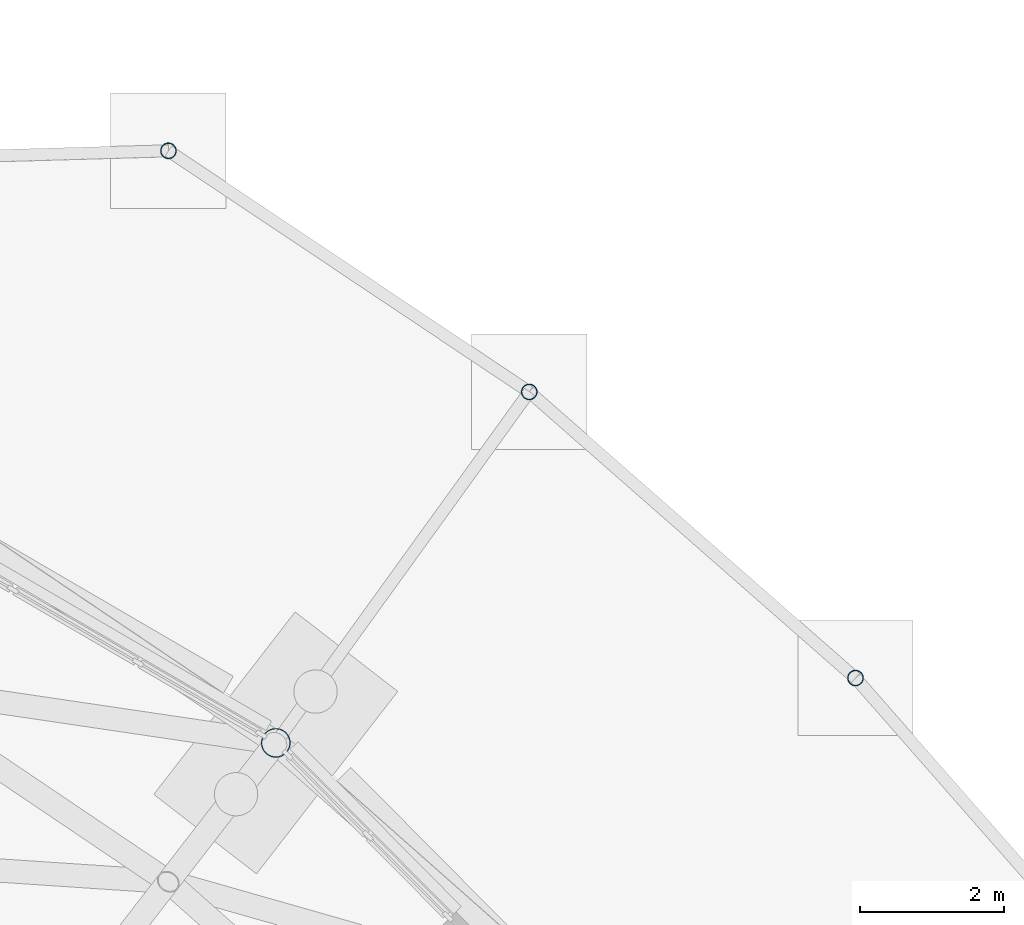
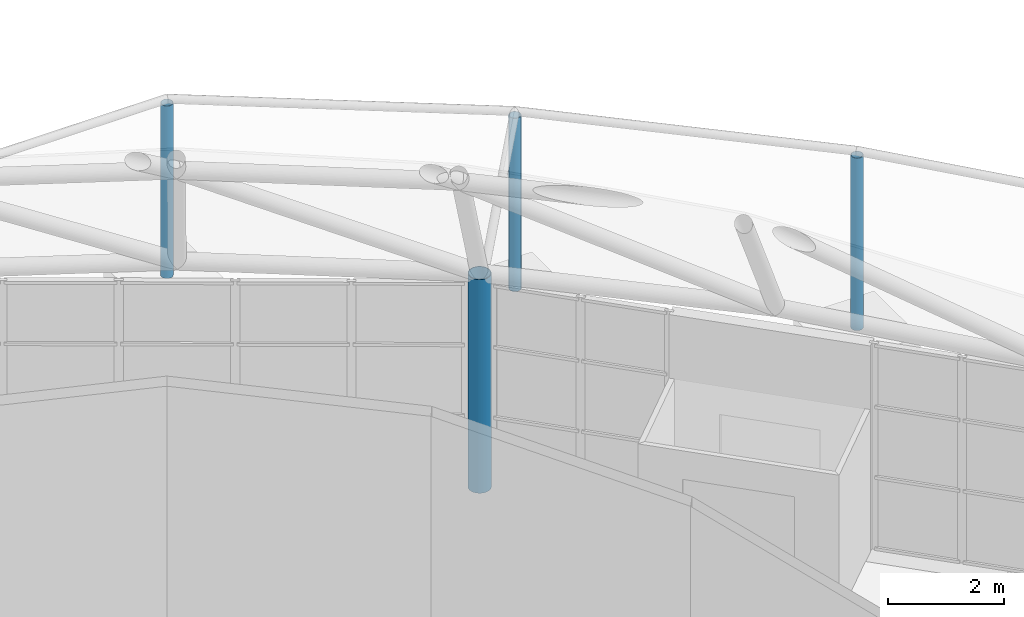
# One storey, part 44 of 226: 4 columns.
"""IFC4 building model written with IfcOpenShell, lengths in metres."""

from ifc_helpers import new_model, si_unit, direction, frame, origin, origin_2d, place, context, subcontext, project, spatial, hollow_circle, extrude, material, material_profile, profile_set, type_object, element, save


model = new_model("IFC4")

# Units and contexts
model_context = context("Model", 3, precision=1e-05, world=origin(), true_north=direction((0.0, 1.0)))
body_context = subcontext(model_context, "Body", "Model", "MODEL_VIEW")
ifc_project = project(units=[si_unit("LENGTHUNIT", "METRE"), si_unit("AREAUNIT", "SQUARE_METRE"), si_unit("VOLUMEUNIT", "CUBIC_METRE"), si_unit("PLANEANGLEUNIT", "RADIAN"), si_unit("MASSUNIT", "GRAM", prefix="KILO")], contexts=[model_context])

# Site, building, storey
site_placement = place(None, origin())
site = spatial("IfcSite", under=ifc_project, at=site_placement, CompositionType="ELEMENT")
building_placement = place(site_placement, origin())
building = spatial("IfcBuilding", under=site, at=building_placement, Name="Ceibo Conservatory and Research Tower", CompositionType="ELEMENT")
storey_placement = place(building_placement, origin())
storey = spatial("IfcBuildingStorey", under=building, at=storey_placement, Name="L00", CompositionType="ELEMENT", Elevation=0.0)

# Columns
ifc_material = material(Name="Steel ASTM A500 Gr C", Category="steel")
ifc_material_profile_1 = material_profile(ifc_material, hollow_circle(Radius=0.109619140625, WallThickness=0.00830078125, at=origin_2d()), Name="CHS column 219.1x8.18")
ifc_profile_set_1 = profile_set([ifc_material_profile_1], Name="Steel ASTM A500 Gr C")
column_type_1 = type_object("IfcColumnType", Name="CHS column 219.1x8.18", PredefinedType="COLUMN", material=ifc_profile_set_1)
column_1_placement = place(storey_placement, frame((188.52685546875, 140.52685546875, 0.0), z_axis=(0.0, 0.0, 1.0), x_axis=(1.0, 0.0, 0.0)))
element("IfcColumn", 1, at=column_1_placement, inside=storey, type_object=column_type_1, Name="Colonnade column A-CL15", PredefinedType="COLUMN", context=body_context, shape_type="SweptSolid", body=[
    extrude(hollow_circle(Radius=0.109619140625, WallThickness=0.00830078125, at=origin_2d()), origin(), (0.0, 0.0, 1.0), 3.631103515625),
])
column_2_placement = place(storey_placement, frame((184.0029296875, 144.494140625, 0.0), z_axis=(0.0, 0.0, 1.0), x_axis=(1.0, 0.0, 0.0)))
element("IfcColumn", 2, at=column_2_placement, inside=storey, type_object=column_type_1, Name="Colonnade column A-CL16", PredefinedType="COLUMN", context=body_context, shape_type="SweptSolid", body=[
    extrude(hollow_circle(Radius=0.109619140625, WallThickness=0.00830078125, at=origin_2d()), origin(), (0.0, 0.0, 1.0), 3.64794921875),
])
column_3_placement = place(storey_placement, frame((179.0, 147.837158203125, 0.0), z_axis=(0.0, 0.0, 1.0), x_axis=(1.0, 0.0, 0.0)))
element("IfcColumn", 3, at=column_3_placement, inside=storey, type_object=column_type_1, Name="Colonnade column A-CL17", PredefinedType="COLUMN", context=body_context, shape_type="SweptSolid", body=[
    extrude(hollow_circle(Radius=0.109619140625, WallThickness=0.00830078125, at=origin_2d()), origin(), (0.0, 0.0, 1.0), 3.631103515625),
])
ifc_material_profile_2 = material_profile(ifc_material, hollow_circle(Radius=0.203125, WallThickness=0.0126953125, at=origin_2d()), Name="CHS column 406.4x12.70")
ifc_profile_set_2 = profile_set([ifc_material_profile_2], Name="Steel ASTM A500 Gr C")
column_type_2 = type_object("IfcColumnType", Name="CHS column 406.4x12.70", PredefinedType="COLUMN", material=ifc_profile_set_2)
column_4_placement = place(storey_placement, frame((180.48876953125, 139.627685546875, 0.0), z_axis=(0.0, 0.0, 1.0), x_axis=(1.0, 0.0, 0.0)))
element("IfcColumn", 4, at=column_4_placement, inside=storey, type_object=column_type_2, Name="Drum column A-DC04", PredefinedType="COLUMN", context=body_context, shape_type="SweptSolid", body=[
    extrude(hollow_circle(Radius=0.203125, WallThickness=0.0126953125, at=origin_2d()), origin(), (0.0, 0.0, 1.0), 4.5),
])

save(model, "model.ifc")
